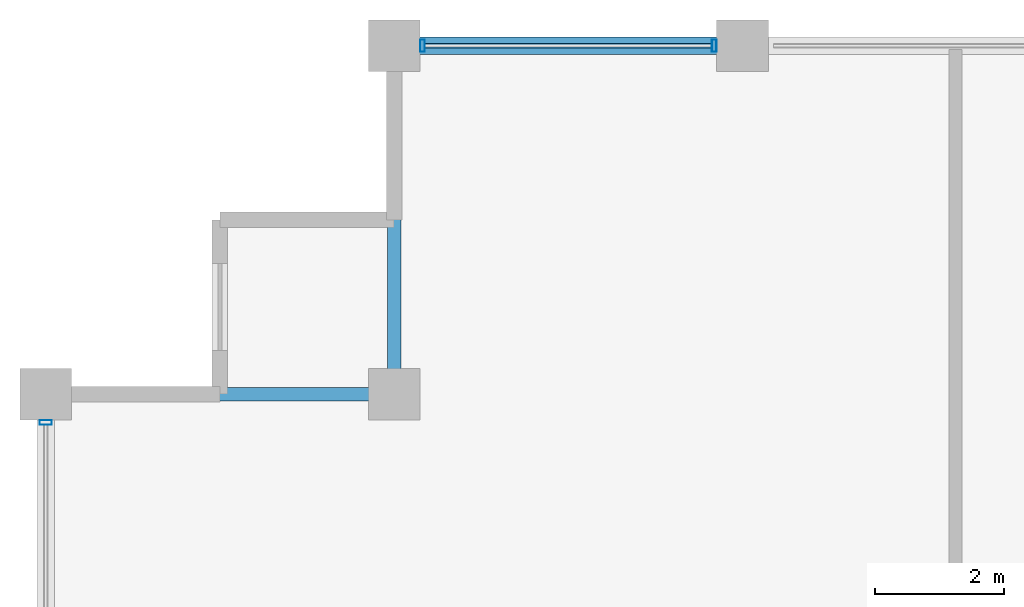
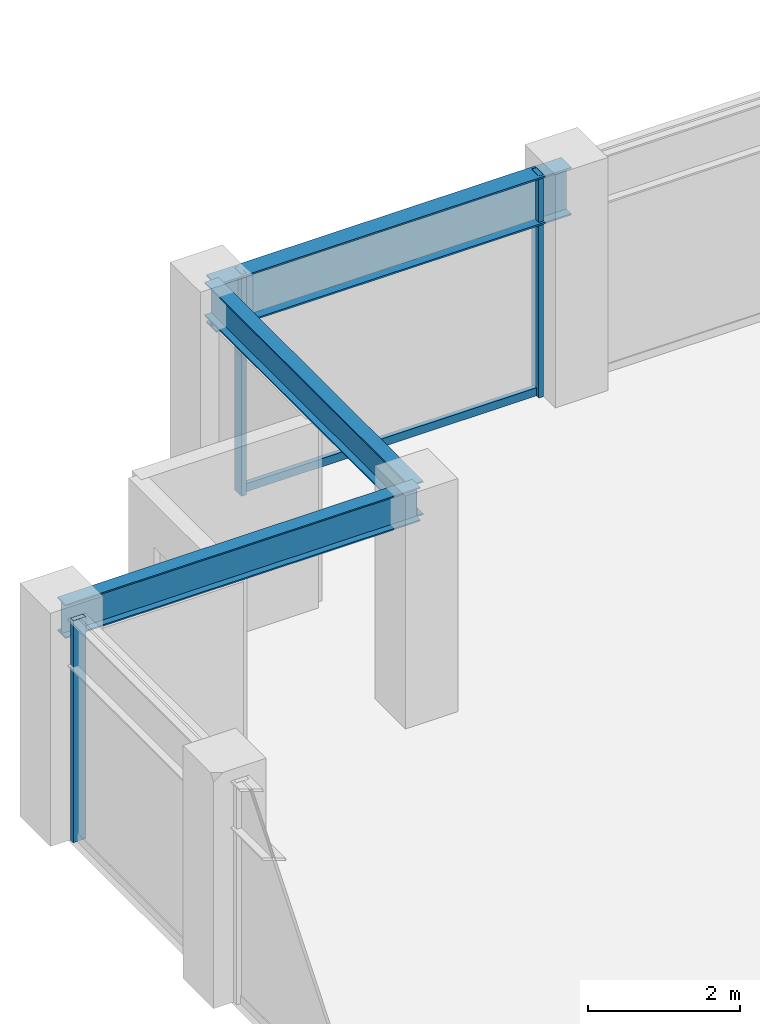
# One storey, part 18 of 32: 4 members, 3 beams, 2 elements without a shape of their own.
"""IFC4 building model written with IfcOpenShell, lengths in metres."""

from ifc_helpers import new_model, si_unit, direction, frame, origin, origin_2d, place, context, subcontext, project, spatial, hollow_rectangle, i_section, extrude, material, layer, layer_set, material_profile, profile_set, type_object, element, aggregate, save


model = new_model("IFC4")

# Units and contexts
model_context = context("Model", 3, precision=1e-05, world=origin(), true_north=direction((0.0, 1.0)))
body_context = subcontext(model_context, "Body", "Model", "MODEL_VIEW")
ifc_project = project(units=[si_unit("LENGTHUNIT", "METRE"), si_unit("AREAUNIT", "SQUARE_METRE"), si_unit("VOLUMEUNIT", "CUBIC_METRE"), si_unit("PLANEANGLEUNIT", "RADIAN"), si_unit("MASSUNIT", "GRAM", prefix="KILO")], contexts=[model_context])

# Site, building, storey
site_placement = place(None, origin())
site = spatial("IfcSite", under=ifc_project, at=site_placement, CompositionType="ELEMENT")
building_placement = place(site_placement, origin())
building = spatial("IfcBuilding", under=site, at=building_placement, Name="Surkhivell Harbour Commons", CompositionType="ELEMENT")
storey_placement = place(building_placement, frame((0.0, 0.0, 216.0)))
storey = spatial("IfcBuildingStorey", under=building, at=storey_placement, Name="L56", CompositionType="ELEMENT", Elevation=216.0)

# Beams
ifc_material_1 = material(Name="Steel S355", Category="steel")
ifc_material_profile_1 = material_profile(ifc_material_1, i_section(OverallWidth=0.2119140625, OverallDepth=0.5439453125, WebThickness=0.0126953125, FlangeThickness=0.021240234375, at=origin_2d()), Name="UB533x210x122")
ifc_profile_set_1 = profile_set([ifc_material_profile_1], Name="Steel S355")
beam_type_1 = type_object("IfcBeamType", Name="BM-GRD-533A", PredefinedType="BEAM", material=ifc_profile_set_1)
for number, where, z_axis, x_axis, name in (
    (1, (-27.0, 20.5, 3.298095703125), (1.0, 0.0, 0.0), (0.0, 1.0, 0.0), "L56 Floor Girder (-27.0,20.5)"),
    (2, (-21.60009765625, 20.5, 3.298095703125), (0.0, 1.0, 0.0), (-1.0, 0.0, 0.0), "L56 Floor Girder (-21.6,20.5)"),
):
    element("IfcBeam", number, at=place(storey_placement, frame(where, z_axis=z_axis, x_axis=x_axis)), inside=storey, type_object=beam_type_1, Name=name, PredefinedType="BEAM", context=body_context, shape_type="SweptSolid", body=[
        extrude(i_section(OverallWidth=0.2119140625, OverallDepth=0.5439453125, WebThickness=0.0126953125, FlangeThickness=0.021240234375, at=origin_2d()), origin(), (0.0, 0.0, 1.0), 5.39990234375),
    ])
ifc_material_profile_2 = material_profile(ifc_material_1, i_section(OverallWidth=0.26806640625, OverallDepth=0.77001953125, WebThickness=0.015625, FlangeThickness=0.025390625, at=origin_2d()), Name="UB762x267x197")
ifc_profile_set_2 = profile_set([ifc_material_profile_2], Name="Steel S355")
beam_type_2 = type_object("IfcBeamType", Name="BM-SPN-762", PredefinedType="SPANDREL", material=ifc_profile_set_2)
beam_placement = place(storey_placement, frame((-21.60009765625, 25.89990234375, 3.18505859375), z_axis=(1.0, 0.0, 0.0), x_axis=(0.0, 1.0, 0.0)))
element("IfcBeam", 3, at=beam_placement, inside=storey, type_object=beam_type_2, Name="L56 Tube Spandrel (-21.6,25.9)", PredefinedType="SPANDREL", context=body_context, shape_type="SweptSolid", body=[
    extrude(i_section(OverallWidth=0.26806640625, OverallDepth=0.77001953125, WebThickness=0.015625, FlangeThickness=0.025390625, at=origin_2d()), origin(), (0.0, 0.0, 1.0), 5.400146484375),
])

# Curtain wall, members
ifc_material_2 = material(Name="Anodised pale-metal aluminium and insulated glazing", Category="aluminium")
ifc_layer = layer(ifc_material_2, 0.18994140625)
ifc_layer_set = layer_set([ifc_layer], Name="Anodised pale-metal aluminium and insulated glazing")
curtain_wall_type = type_object("IfcCurtainWallType", Name="CW-SYS-Z3", PredefinedType="NOTDEFINED", material=ifc_layer_set)
curtain_wall_1_placement = place(storey_placement, origin())
curtain_wall_1 = element("IfcCurtainWall", 4, at=curtain_wall_1_placement, inside=storey, type_object=curtain_wall_type, Name="L56 Curtain Wall CW-L56-E07S2", PredefinedType="NOTDEFINED")
ifc_material_3 = material(Name="Anodised pale-metal aluminium alloy 6063-T6", Category="aluminium")
ifc_material_profile_3 = material_profile(ifc_material_3, hollow_rectangle(XDim=0.074951171875, YDim=0.18994140625, WallThickness=0.00390625, at=origin_2d()), Name="ALU-MULL-75x190")
ifc_profile_set_3 = profile_set([ifc_material_profile_3], Name="Anodised pale-metal aluminium alloy 6063-T6")
member_type_1 = type_object("IfcMemberType", Name="CWM-190", PredefinedType="MULLION", material=ifc_profile_set_3)
member_1_placement = place(storey_placement, frame((-16.639404296875, 25.89990234375, 0.0), z_axis=(0.0, 0.0, 1.0), x_axis=(-1.0, 0.0, 0.0)))
member_1 = element("IfcMember", 5, at=member_1_placement, type_object=member_type_1, Name="CW-Z3 mullion 3", PredefinedType="MULLION", context=body_context, shape_type="SweptSolid", body=[
    extrude(hollow_rectangle(XDim=0.074951171875, YDim=0.18994140625, WallThickness=0.00390625, at=origin_2d()), origin(), (0.0, 0.0, 1.0), 3.570068359375),
])
member_2_placement = place(storey_placement, frame((-21.160400390625, 25.89990234375, 0.0), z_axis=(0.0, 0.0, 1.0), x_axis=(-1.0, 0.0, 0.0)))
member_2 = element("IfcMember", 6, at=member_2_placement, type_object=member_type_1, Name="CW-Z3 mullion 4", PredefinedType="MULLION", context=body_context, shape_type="SweptSolid", body=[
    extrude(hollow_rectangle(XDim=0.074951171875, YDim=0.18994140625, WallThickness=0.00390625, at=origin_2d()), origin(), (0.0, 0.0, 1.0), 3.570068359375),
])

# Curtain wall, member
curtain_wall_2_placement = place(storey_placement, origin())
curtain_wall_2 = element("IfcCurtainWall", 7, at=curtain_wall_2_placement, inside=storey, type_object=curtain_wall_type, Name="L56 Curtain Wall CW-L56-E12S1", PredefinedType="NOTDEFINED")
member_3_placement = place(storey_placement, frame((-27.0, 20.060546875, 0.0), z_axis=(0.0, 0.0, 1.0), x_axis=(0.0, -1.0, 0.0)))
member_3 = element("IfcMember", 8, at=member_3_placement, type_object=member_type_1, Name="CW-Z3 mullion 1", PredefinedType="MULLION", context=body_context, shape_type="SweptSolid", body=[
    extrude(hollow_rectangle(XDim=0.074951171875, YDim=0.18994140625, WallThickness=0.00390625, at=origin_2d()), origin(), (0.0, 0.0, 1.0), 3.570068359375),
])
aggregate(curtain_wall_2, [member_3])

# Member
ifc_material_4 = material(Name="Champagne anodised aluminium alloy 6063-T6", Category="aluminium")
ifc_material_profile_4 = material_profile(ifc_material_4, hollow_rectangle(XDim=0.070068359375, YDim=0.1298828125, WallThickness=0.00341796875, at=origin_2d()), Name="ALU-TRAN-70x130")
ifc_profile_set_4 = profile_set([ifc_material_profile_4], Name="Champagne anodised aluminium alloy 6063-T6")
member_type_2 = type_object("IfcMemberType", Name="CWT-130", PredefinedType="USERDEFINED", material=ifc_profile_set_4)
member_4_placement = place(storey_placement, frame((-16.677001953125, 25.89990234375, 0.06494140625), z_axis=(-1.0, 0.0, 0.0), x_axis=(0.0, -1.0, 0.0)))
member_4 = element("IfcMember", 9, at=member_4_placement, type_object=member_type_2, Name="CW-Z3 transom 3.1", ObjectType="TRANSOM", PredefinedType="USERDEFINED", context=body_context, shape_type="SweptSolid", body=[
    extrude(hollow_rectangle(XDim=0.070068359375, YDim=0.1298828125, WallThickness=0.00341796875, at=origin_2d()), origin(), (0.0, 0.0, 1.0), 4.446044921875),
])

aggregate(curtain_wall_1, [member_1, member_2, member_4])

save(model, "model.ifc")
